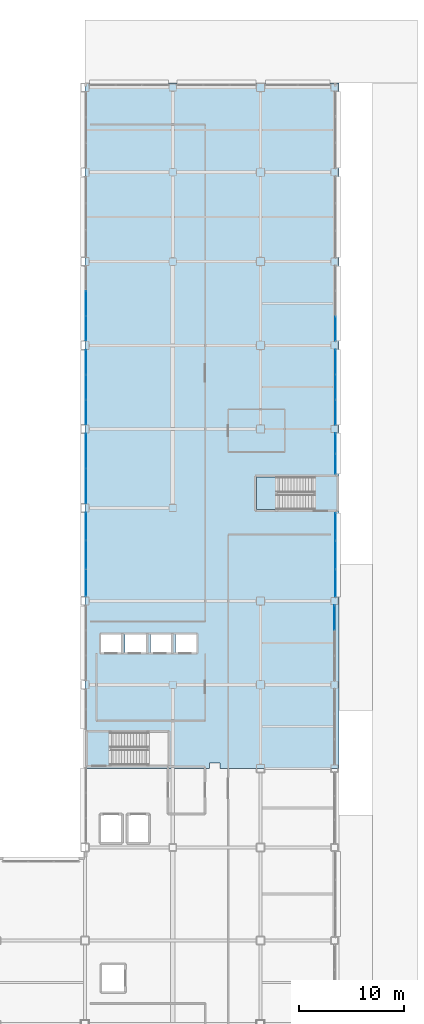
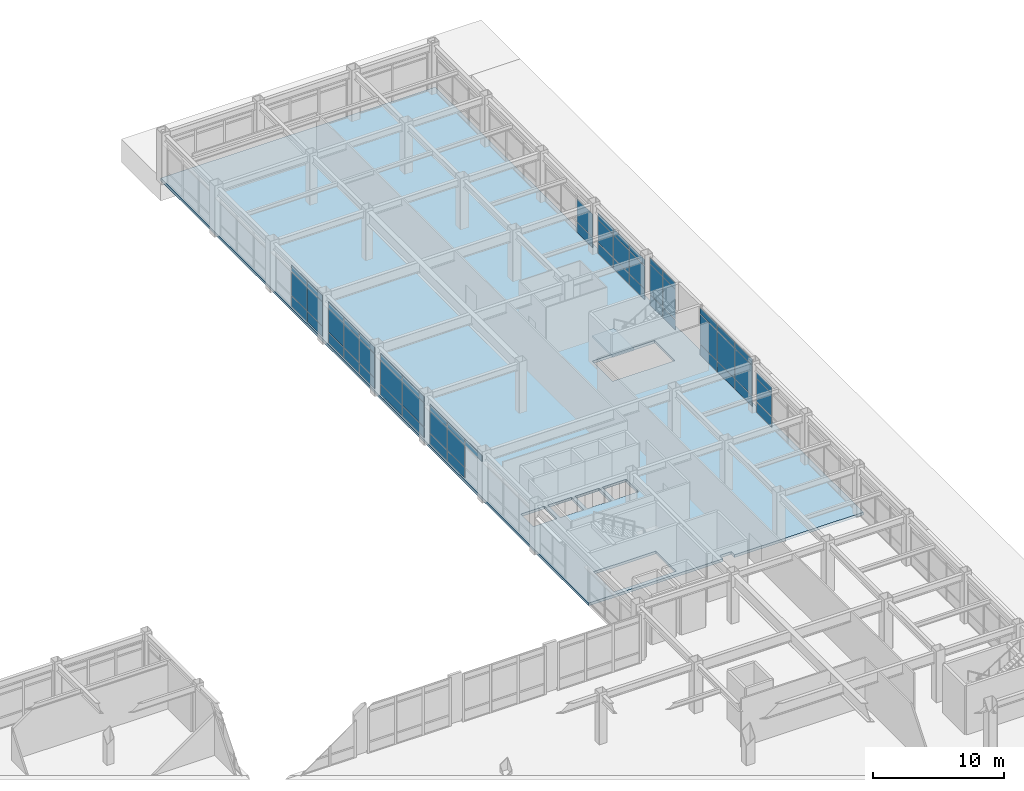
# One storey, part 137 of 172: 57 plates, 2 slabs, 10 elements without a shape of their own.
"""IFC4 building model written with IfcOpenShell, lengths in metres."""

from ifc_helpers import new_model, si_unit, direction, frame, origin, origin_2d, place, context, subcontext, project, spatial, polyline, rectangle, outline, extrude, material, layer, layer_set, type_object, element, aggregate, save


model = new_model("IFC4")

# Units and contexts
model_context = context("Model", 3, precision=1e-05, world=origin(), true_north=direction((0.0, 1.0)))
body_context = subcontext(model_context, "Body", "Model", "MODEL_VIEW")
ifc_project = project(units=[si_unit("LENGTHUNIT", "METRE"), si_unit("AREAUNIT", "SQUARE_METRE"), si_unit("VOLUMEUNIT", "CUBIC_METRE"), si_unit("PLANEANGLEUNIT", "RADIAN"), si_unit("MASSUNIT", "GRAM", prefix="KILO")], contexts=[model_context])

# Site, building, storey
site_placement = place(None, origin())
site = spatial("IfcSite", under=ifc_project, at=site_placement, CompositionType="ELEMENT")
building_placement = place(site_placement, origin())
building = spatial("IfcBuilding", under=site, at=building_placement, Name="Kazehara Bluff Congress Hotel", CompositionType="ELEMENT")
storey_placement = place(building_placement, frame((0.0, 0.0, 5.39990234375)))
storey = spatial("IfcBuildingStorey", under=building, at=storey_placement, Name="L01", CompositionType="ELEMENT", Elevation=5.39990234375)

# Curtain wall, plates
ifc_material_1 = material(Name="Anodised aluminium", Category="aluminium")
ifc_layer_1 = layer(ifc_material_1, 0.159912109375)
ifc_layer_set_1 = layer_set([ifc_layer_1], Name="Anodised aluminium")
curtain_wall_type_1 = type_object("IfcCurtainWallType", Name="TP-CW-80", PredefinedType="NOTDEFINED", material=ifc_layer_set_1)
curtain_wall_1_placement = place(storey_placement, origin())
curtain_wall_1 = element("IfcCurtainWall", 1, at=curtain_wall_1_placement, inside=storey, type_object=curtain_wall_type_1, Name="L01 curtain wall CW-80 CW-V5-L01-X16755-5680", PredefinedType="NOTDEFINED")
ifc_material_2 = material(Name="Insulated low-E double glazing", Category="glass")
ifc_layer_2 = layer(ifc_material_2, 0.028076171875)
ifc_layer_set_2 = layer_set([ifc_layer_2], Name="Insulated low-E double glazing")
plate_type_1 = type_object("IfcPlateType", Name="TP-CWP-01", PredefinedType="CURTAIN_PANEL", material=ifc_layer_set_2)
plate_1_placement = place(storey_placement, frame((167.550048828125, 62.8671875, 0.06494140625), z_axis=(0.0, 0.0, 1.0), x_axis=(0.0, 1.0, 0.0)))
plate_1 = element("IfcPlate", 2, at=plate_1_placement, type_object=plate_type_1, Name="CW-80 panel 3.1", PredefinedType="CURTAIN_PANEL", context=body_context, shape_type="SweptSolid", body=[
    extrude(rectangle(XDim=2.3359375, YDim=0.028076171875, at=origin_2d()), origin(), (0.0, 0.0, 1.0), 0.952392578125),
])
plate_2_placement = place(storey_placement, frame((167.550048828125, 62.8671875, 1.08251953125), z_axis=(0.0, 0.0, 1.0), x_axis=(0.0, 1.0, 0.0)))
plate_2 = element("IfcPlate", 3, at=plate_2_placement, type_object=plate_type_1, Name="CW-80 panel 3.2", PredefinedType="CURTAIN_PANEL", context=body_context, shape_type="SweptSolid", body=[
    extrude(rectangle(XDim=2.3359375, YDim=0.028076171875, at=origin_2d()), origin(), (0.0, 0.0, 1.0), 2.110107421875),
])
plate_3_placement = place(storey_placement, frame((167.550048828125, 62.8671875, 3.2578125), z_axis=(0.0, 0.0, 1.0), x_axis=(0.0, 1.0, 0.0)))
plate_3 = element("IfcPlate", 4, at=plate_3_placement, type_object=plate_type_1, Name="CW-80 panel 3.3", PredefinedType="CURTAIN_PANEL", context=body_context, shape_type="SweptSolid", body=[
    extrude(rectangle(XDim=2.3359375, YDim=0.028076171875, at=origin_2d()), origin(), (0.0, 0.0, 1.0), 0.552490234375),
])
aggregate(curtain_wall_1, [plate_1, plate_2, plate_3])

curtain_wall_2_placement = place(storey_placement, origin())
curtain_wall_2 = element("IfcCurtainWall", 5, at=curtain_wall_2_placement, inside=storey, type_object=curtain_wall_type_1, Name="L01 curtain wall CW-80 CW-ENC-V5-L01-16765-8490", PredefinedType="NOTDEFINED")
plate_4_placement = place(storey_placement, frame((167.64990234375, 87.317138671875, 0.06494140625), z_axis=(0.0, 0.0, 1.0), x_axis=(0.0, -1.0, 0.0)))
plate_4 = element("IfcPlate", 6, at=plate_4_placement, type_object=plate_type_1, Name="CW-80 panel 1.1", PredefinedType="CURTAIN_PANEL", context=body_context, shape_type="SweptSolid", body=[
    extrude(rectangle(XDim=2.3359375, YDim=0.028076171875, at=origin_2d()), origin(), (0.0, 0.0, 1.0), 0.952392578125),
])
plate_5_placement = place(storey_placement, frame((167.64990234375, 87.317138671875, 1.08251953125), z_axis=(0.0, 0.0, 1.0), x_axis=(0.0, -1.0, 0.0)))
plate_5 = element("IfcPlate", 7, at=plate_5_placement, type_object=plate_type_1, Name="CW-80 panel 1.2", PredefinedType="CURTAIN_PANEL", context=body_context, shape_type="SweptSolid", body=[
    extrude(rectangle(XDim=2.3359375, YDim=0.028076171875, at=origin_2d()), origin(), (0.0, 0.0, 1.0), 2.110107421875),
])
plate_6_placement = place(storey_placement, frame((167.64990234375, 87.317138671875, 3.2578125), z_axis=(0.0, 0.0, 1.0), x_axis=(0.0, -1.0, 0.0)))
plate_6 = element("IfcPlate", 8, at=plate_6_placement, type_object=plate_type_1, Name="CW-80 panel 1.3", PredefinedType="CURTAIN_PANEL", context=body_context, shape_type="SweptSolid", body=[
    extrude(rectangle(XDim=2.3359375, YDim=0.028076171875, at=origin_2d()), origin(), (0.0, 0.0, 1.0), 0.552490234375),
])
plate_7_placement = place(storey_placement, frame((167.64990234375, 84.89990234375, 0.06494140625), z_axis=(0.0, 0.0, 1.0), x_axis=(0.0, -1.0, 0.0)))
plate_7 = element("IfcPlate", 9, at=plate_7_placement, type_object=plate_type_1, Name="CW-80 panel 2.1", PredefinedType="CURTAIN_PANEL", context=body_context, shape_type="SweptSolid", body=[
    extrude(rectangle(XDim=2.368408203125, YDim=0.028076171875, at=origin_2d()), origin(), (0.0, 0.0, 1.0), 0.952392578125),
])
plate_8_placement = place(storey_placement, frame((167.64990234375, 84.89990234375, 1.08251953125), z_axis=(0.0, 0.0, 1.0), x_axis=(0.0, -1.0, 0.0)))
plate_8 = element("IfcPlate", 10, at=plate_8_placement, type_object=plate_type_1, Name="CW-80 panel 2.2", PredefinedType="CURTAIN_PANEL", context=body_context, shape_type="SweptSolid", body=[
    extrude(rectangle(XDim=2.368408203125, YDim=0.028076171875, at=origin_2d()), origin(), (0.0, 0.0, 1.0), 2.110107421875),
])
plate_9_placement = place(storey_placement, frame((167.64990234375, 84.89990234375, 3.2578125), z_axis=(0.0, 0.0, 1.0), x_axis=(0.0, -1.0, 0.0)))
plate_9 = element("IfcPlate", 11, at=plate_9_placement, type_object=plate_type_1, Name="CW-80 panel 2.3", PredefinedType="CURTAIN_PANEL", context=body_context, shape_type="SweptSolid", body=[
    extrude(rectangle(XDim=2.368408203125, YDim=0.028076171875, at=origin_2d()), origin(), (0.0, 0.0, 1.0), 0.552490234375),
])
plate_10_placement = place(storey_placement, frame((167.64990234375, 82.48291015625, 0.06494140625), z_axis=(0.0, 0.0, 1.0), x_axis=(0.0, -1.0, 0.0)))
plate_10 = element("IfcPlate", 12, at=plate_10_placement, type_object=plate_type_1, Name="CW-80 panel 3.1", PredefinedType="CURTAIN_PANEL", context=body_context, shape_type="SweptSolid", body=[
    extrude(rectangle(XDim=2.3359375, YDim=0.028076171875, at=origin_2d()), origin(), (0.0, 0.0, 1.0), 0.952392578125),
])
plate_11_placement = place(storey_placement, frame((167.64990234375, 82.48291015625, 1.08251953125), z_axis=(0.0, 0.0, 1.0), x_axis=(0.0, -1.0, 0.0)))
plate_11 = element("IfcPlate", 13, at=plate_11_placement, type_object=plate_type_1, Name="CW-80 panel 3.2", PredefinedType="CURTAIN_PANEL", context=body_context, shape_type="SweptSolid", body=[
    extrude(rectangle(XDim=2.3359375, YDim=0.028076171875, at=origin_2d()), origin(), (0.0, 0.0, 1.0), 2.110107421875),
])
plate_12_placement = place(storey_placement, frame((167.64990234375, 82.48291015625, 3.2578125), z_axis=(0.0, 0.0, 1.0), x_axis=(0.0, -1.0, 0.0)))
plate_12 = element("IfcPlate", 14, at=plate_12_placement, type_object=plate_type_1, Name="CW-80 panel 3.3", PredefinedType="CURTAIN_PANEL", context=body_context, shape_type="SweptSolid", body=[
    extrude(rectangle(XDim=2.3359375, YDim=0.028076171875, at=origin_2d()), origin(), (0.0, 0.0, 1.0), 0.552490234375),
])
aggregate(curtain_wall_2, [plate_4, plate_5, plate_6, plate_7, plate_8, plate_9, plate_10, plate_11, plate_12])

curtain_wall_3_placement = place(storey_placement, origin())
curtain_wall_3 = element("IfcCurtainWall", 15, at=curtain_wall_3_placement, inside=storey, type_object=curtain_wall_type_1, Name="L01 curtain wall CW-80 CW-ENC-V5-L01-16765-9290", PredefinedType="NOTDEFINED")
plate_13_placement = place(storey_placement, frame((167.64990234375, 90.48291015625, 0.06494140625), z_axis=(0.0, 0.0, 1.0), x_axis=(0.0, -1.0, 0.0)))
plate_13 = element("IfcPlate", 16, at=plate_13_placement, type_object=plate_type_1, Name="CW-80 panel 3.1", PredefinedType="CURTAIN_PANEL", context=body_context, shape_type="SweptSolid", body=[
    extrude(rectangle(XDim=2.3359375, YDim=0.028076171875, at=origin_2d()), origin(), (0.0, 0.0, 1.0), 0.952392578125),
])
plate_14_placement = place(storey_placement, frame((167.64990234375, 90.48291015625, 1.08251953125), z_axis=(0.0, 0.0, 1.0), x_axis=(0.0, -1.0, 0.0)))
plate_14 = element("IfcPlate", 17, at=plate_14_placement, type_object=plate_type_1, Name="CW-80 panel 3.2", PredefinedType="CURTAIN_PANEL", context=body_context, shape_type="SweptSolid", body=[
    extrude(rectangle(XDim=2.3359375, YDim=0.028076171875, at=origin_2d()), origin(), (0.0, 0.0, 1.0), 2.110107421875),
])
aggregate(curtain_wall_3, [plate_13, plate_14])

ifc_material_3 = material(Name="Anodised aluminium", Category="aluminium")
ifc_layer_3 = layer(ifc_material_3, 0.159912109375)
ifc_layer_set_3 = layer_set([ifc_layer_3], Name="Anodised aluminium")
curtain_wall_type_2 = type_object("IfcCurtainWallType", Name="TP-CW-121", PredefinedType="NOTDEFINED", material=ifc_layer_set_3)
curtain_wall_4_placement = place(storey_placement, origin())
curtain_wall_4 = element("IfcCurtainWall", 18, at=curtain_wall_4_placement, inside=storey, type_object=curtain_wall_type_2, Name="L01 curtain wall CW-121 CW-ENC-V5-L01-14380-6890", PredefinedType="NOTDEFINED")
plate_15_placement = place(storey_placement, frame((143.800048828125, 66.21630859375, 3.20751953125), z_axis=(0.0, 0.0, 1.0), x_axis=(0.0, 1.0, 0.0)))
plate_15 = element("IfcPlate", 19, at=plate_15_placement, type_object=plate_type_1, Name="CW-121 panel 1.3", PredefinedType="CURTAIN_PANEL", context=body_context, shape_type="SweptSolid", body=[
    extrude(rectangle(XDim=2.6025390625, YDim=0.028076171875, at=origin_2d()), origin(), (0.0, 0.0, 1.0), 0.552490234375),
])
plate_16_placement = place(storey_placement, frame((143.800048828125, 68.89990234375, 0.06494140625), z_axis=(0.0, 0.0, 1.0), x_axis=(0.0, 1.0, 0.0)))
plate_16 = element("IfcPlate", 20, at=plate_16_placement, type_object=plate_type_1, Name="CW-121 panel 2.1", PredefinedType="CURTAIN_PANEL", context=body_context, shape_type="SweptSolid", body=[
    extrude(rectangle(XDim=2.635009765625, YDim=0.028076171875, at=origin_2d()), origin(), (0.0, 0.0, 1.0), 0.952392578125),
])
plate_17_placement = place(storey_placement, frame((143.800048828125, 68.89990234375, 1.08251953125), z_axis=(0.0, 0.0, 1.0), x_axis=(0.0, 1.0, 0.0)))
plate_17 = element("IfcPlate", 21, at=plate_17_placement, type_object=plate_type_1, Name="CW-121 panel 2.2", PredefinedType="CURTAIN_PANEL", context=body_context, shape_type="SweptSolid", body=[
    extrude(rectangle(XDim=2.635009765625, YDim=0.028076171875, at=origin_2d()), origin(), (0.0, 0.0, 1.0), 2.06005859375),
])
plate_18_placement = place(storey_placement, frame((143.800048828125, 68.89990234375, 3.20751953125), z_axis=(0.0, 0.0, 1.0), x_axis=(0.0, 1.0, 0.0)))
plate_18 = element("IfcPlate", 22, at=plate_18_placement, type_object=plate_type_1, Name="CW-121 panel 2.3", PredefinedType="CURTAIN_PANEL", context=body_context, shape_type="SweptSolid", body=[
    extrude(rectangle(XDim=2.635009765625, YDim=0.028076171875, at=origin_2d()), origin(), (0.0, 0.0, 1.0), 0.552490234375),
])
plate_19_placement = place(storey_placement, frame((143.800048828125, 71.583740234375, 0.06494140625), z_axis=(0.0, 0.0, 1.0), x_axis=(0.0, 1.0, 0.0)))
plate_19 = element("IfcPlate", 23, at=plate_19_placement, type_object=plate_type_1, Name="CW-121 panel 3.1", PredefinedType="CURTAIN_PANEL", context=body_context, shape_type="SweptSolid", body=[
    extrude(rectangle(XDim=2.6025390625, YDim=0.028076171875, at=origin_2d()), origin(), (0.0, 0.0, 1.0), 0.952392578125),
])
plate_20_placement = place(storey_placement, frame((143.800048828125, 71.583740234375, 1.08251953125), z_axis=(0.0, 0.0, 1.0), x_axis=(0.0, 1.0, 0.0)))
plate_20 = element("IfcPlate", 24, at=plate_20_placement, type_object=plate_type_1, Name="CW-121 panel 3.2", PredefinedType="CURTAIN_PANEL", context=body_context, shape_type="SweptSolid", body=[
    extrude(rectangle(XDim=2.6025390625, YDim=0.028076171875, at=origin_2d()), origin(), (0.0, 0.0, 1.0), 2.06005859375),
])
plate_21_placement = place(storey_placement, frame((143.800048828125, 71.583740234375, 3.20751953125), z_axis=(0.0, 0.0, 1.0), x_axis=(0.0, 1.0, 0.0)))
plate_21 = element("IfcPlate", 25, at=plate_21_placement, type_object=plate_type_1, Name="CW-121 panel 3.3", PredefinedType="CURTAIN_PANEL", context=body_context, shape_type="SweptSolid", body=[
    extrude(rectangle(XDim=2.6025390625, YDim=0.028076171875, at=origin_2d()), origin(), (0.0, 0.0, 1.0), 0.552490234375),
])
aggregate(curtain_wall_4, [plate_15, plate_16, plate_17, plate_18, plate_19, plate_20, plate_21])

ifc_material_4 = material(Name="Anodised aluminium", Category="aluminium")
ifc_layer_4 = layer(ifc_material_4, 0.159912109375)
ifc_layer_set_4 = layer_set([ifc_layer_4], Name="Anodised aluminium")
curtain_wall_type_3 = type_object("IfcCurtainWallType", Name="TP-CW-122", PredefinedType="NOTDEFINED", material=ifc_layer_set_4)
curtain_wall_5_placement = place(storey_placement, origin())
curtain_wall_5 = element("IfcCurtainWall", 26, at=curtain_wall_5_placement, inside=storey, type_object=curtain_wall_type_3, Name="L01 curtain wall CW-122 CW-ENC-V5-L01-14380-7712", PredefinedType="NOTDEFINED")
plate_22_placement = place(storey_placement, frame((143.800048828125, 75.453857421875, 0.06494140625), z_axis=(0.0, 0.0, 1.0), x_axis=(0.0, 1.0, 0.0)))
plate_22 = element("IfcPlate", 27, at=plate_22_placement, type_object=plate_type_1, Name="CW-122 panel 1.1", PredefinedType="CURTAIN_PANEL", context=body_context, shape_type="SweptSolid", body=[
    extrude(rectangle(XDim=3.277587890625, YDim=0.028076171875, at=origin_2d()), origin(), (0.0, 0.0, 1.0), 0.952392578125),
])
plate_23_placement = place(storey_placement, frame((143.800048828125, 75.453857421875, 1.08251953125), z_axis=(0.0, 0.0, 1.0), x_axis=(0.0, 1.0, 0.0)))
plate_23 = element("IfcPlate", 28, at=plate_23_placement, type_object=plate_type_1, Name="CW-122 panel 1.2", PredefinedType="CURTAIN_PANEL", context=body_context, shape_type="SweptSolid", body=[
    extrude(rectangle(XDim=3.277587890625, YDim=0.028076171875, at=origin_2d()), origin(), (0.0, 0.0, 1.0), 2.2099609375),
])
plate_24_placement = place(storey_placement, frame((143.800048828125, 75.453857421875, 3.357421875), z_axis=(0.0, 0.0, 1.0), x_axis=(0.0, 1.0, 0.0)))
plate_24 = element("IfcPlate", 29, at=plate_24_placement, type_object=plate_type_1, Name="CW-122 panel 1.3", PredefinedType="CURTAIN_PANEL", context=body_context, shape_type="SweptSolid", body=[
    extrude(rectangle(XDim=3.277587890625, YDim=0.028076171875, at=origin_2d()), origin(), (0.0, 0.0, 1.0), 0.552490234375),
])
plate_25_placement = place(storey_placement, frame((143.800048828125, 78.796142578125, 0.06494140625), z_axis=(0.0, 0.0, 1.0), x_axis=(0.0, 1.0, 0.0)))
plate_25 = element("IfcPlate", 30, at=plate_25_placement, type_object=plate_type_1, Name="CW-122 panel 2.1", PredefinedType="CURTAIN_PANEL", context=body_context, shape_type="SweptSolid", body=[
    extrude(rectangle(XDim=3.277587890625, YDim=0.028076171875, at=origin_2d()), origin(), (0.0, 0.0, 1.0), 0.952392578125),
])
plate_26_placement = place(storey_placement, frame((143.800048828125, 78.796142578125, 1.08251953125), z_axis=(0.0, 0.0, 1.0), x_axis=(0.0, 1.0, 0.0)))
plate_26 = element("IfcPlate", 31, at=plate_26_placement, type_object=plate_type_1, Name="CW-122 panel 2.2", PredefinedType="CURTAIN_PANEL", context=body_context, shape_type="SweptSolid", body=[
    extrude(rectangle(XDim=3.277587890625, YDim=0.028076171875, at=origin_2d()), origin(), (0.0, 0.0, 1.0), 2.2099609375),
])
plate_27_placement = place(storey_placement, frame((143.800048828125, 78.796142578125, 3.357421875), z_axis=(0.0, 0.0, 1.0), x_axis=(0.0, 1.0, 0.0)))
plate_27 = element("IfcPlate", 32, at=plate_27_placement, type_object=plate_type_1, Name="CW-122 panel 2.3", PredefinedType="CURTAIN_PANEL", context=body_context, shape_type="SweptSolid", body=[
    extrude(rectangle(XDim=3.277587890625, YDim=0.028076171875, at=origin_2d()), origin(), (0.0, 0.0, 1.0), 0.552490234375),
])
aggregate(curtain_wall_5, [plate_22, plate_23, plate_24, plate_25, plate_26, plate_27])

ifc_material_5 = material(Name="Anodised aluminium", Category="aluminium")
ifc_layer_5 = layer(ifc_material_5, 0.159912109375)
ifc_layer_set_5 = layer_set([ifc_layer_5], Name="Anodised aluminium")
curtain_wall_type_4 = type_object("IfcCurtainWallType", Name="TP-CW-120", PredefinedType="NOTDEFINED", material=ifc_layer_set_5)
curtain_wall_6_placement = place(storey_placement, origin())
curtain_wall_6 = element("IfcCurtainWall", 33, at=curtain_wall_6_placement, inside=storey, type_object=curtain_wall_type_4, Name="L01 curtain wall CW-120 CW-ENC-V5-L01-14380-8490", PredefinedType="NOTDEFINED")
plate_28_placement = place(storey_placement, frame((143.800048828125, 82.516357421875, 0.06494140625), z_axis=(0.0, 0.0, 1.0), x_axis=(0.0, 1.0, 0.0)))
plate_28 = element("IfcPlate", 34, at=plate_28_placement, type_object=plate_type_1, Name="CW-120 panel 1.1", PredefinedType="CURTAIN_PANEL", context=body_context, shape_type="SweptSolid", body=[
    extrude(rectangle(XDim=2.302490234375, YDim=0.028076171875, at=origin_2d()), origin(), (0.0, 0.0, 1.0), 0.952392578125),
])
plate_29_placement = place(storey_placement, frame((143.800048828125, 82.516357421875, 1.08251953125), z_axis=(0.0, 0.0, 1.0), x_axis=(0.0, 1.0, 0.0)))
plate_29 = element("IfcPlate", 35, at=plate_29_placement, type_object=plate_type_1, Name="CW-120 panel 1.2", PredefinedType="CURTAIN_PANEL", context=body_context, shape_type="SweptSolid", body=[
    extrude(rectangle(XDim=2.302490234375, YDim=0.028076171875, at=origin_2d()), origin(), (0.0, 0.0, 1.0), 2.2099609375),
])
plate_30_placement = place(storey_placement, frame((143.800048828125, 82.516357421875, 3.357421875), z_axis=(0.0, 0.0, 1.0), x_axis=(0.0, 1.0, 0.0)))
plate_30 = element("IfcPlate", 36, at=plate_30_placement, type_object=plate_type_1, Name="CW-120 panel 1.3", PredefinedType="CURTAIN_PANEL", context=body_context, shape_type="SweptSolid", body=[
    extrude(rectangle(XDim=2.302490234375, YDim=0.028076171875, at=origin_2d()), origin(), (0.0, 0.0, 1.0), 0.552490234375),
])
plate_31_placement = place(storey_placement, frame((143.800048828125, 84.89990234375, 0.06494140625), z_axis=(0.0, 0.0, 1.0), x_axis=(0.0, 1.0, 0.0)))
plate_31 = element("IfcPlate", 37, at=plate_31_placement, type_object=plate_type_1, Name="CW-120 panel 2.1", PredefinedType="CURTAIN_PANEL", context=body_context, shape_type="SweptSolid", body=[
    extrude(rectangle(XDim=2.3349609375, YDim=0.028076171875, at=origin_2d()), origin(), (0.0, 0.0, 1.0), 0.952392578125),
])
plate_32_placement = place(storey_placement, frame((143.800048828125, 84.89990234375, 1.08251953125), z_axis=(0.0, 0.0, 1.0), x_axis=(0.0, 1.0, 0.0)))
plate_32 = element("IfcPlate", 38, at=plate_32_placement, type_object=plate_type_1, Name="CW-120 panel 2.2", PredefinedType="CURTAIN_PANEL", context=body_context, shape_type="SweptSolid", body=[
    extrude(rectangle(XDim=2.3349609375, YDim=0.028076171875, at=origin_2d()), origin(), (0.0, 0.0, 1.0), 2.2099609375),
])
plate_33_placement = place(storey_placement, frame((143.800048828125, 84.89990234375, 3.357421875), z_axis=(0.0, 0.0, 1.0), x_axis=(0.0, 1.0, 0.0)))
plate_33 = element("IfcPlate", 39, at=plate_33_placement, type_object=plate_type_1, Name="CW-120 panel 2.3", PredefinedType="CURTAIN_PANEL", context=body_context, shape_type="SweptSolid", body=[
    extrude(rectangle(XDim=2.3349609375, YDim=0.028076171875, at=origin_2d()), origin(), (0.0, 0.0, 1.0), 0.552490234375),
])
plate_34_placement = place(storey_placement, frame((143.800048828125, 87.28369140625, 0.06494140625), z_axis=(0.0, 0.0, 1.0), x_axis=(0.0, 1.0, 0.0)))
plate_34 = element("IfcPlate", 40, at=plate_34_placement, type_object=plate_type_1, Name="CW-120 panel 3.1", PredefinedType="CURTAIN_PANEL", context=body_context, shape_type="SweptSolid", body=[
    extrude(rectangle(XDim=2.302490234375, YDim=0.028076171875, at=origin_2d()), origin(), (0.0, 0.0, 1.0), 0.952392578125),
])
plate_35_placement = place(storey_placement, frame((143.800048828125, 87.28369140625, 1.08251953125), z_axis=(0.0, 0.0, 1.0), x_axis=(0.0, 1.0, 0.0)))
plate_35 = element("IfcPlate", 41, at=plate_35_placement, type_object=plate_type_1, Name="CW-120 panel 3.2", PredefinedType="CURTAIN_PANEL", context=body_context, shape_type="SweptSolid", body=[
    extrude(rectangle(XDim=2.302490234375, YDim=0.028076171875, at=origin_2d()), origin(), (0.0, 0.0, 1.0), 2.2099609375),
])
plate_36_placement = place(storey_placement, frame((143.800048828125, 87.28369140625, 3.357421875), z_axis=(0.0, 0.0, 1.0), x_axis=(0.0, 1.0, 0.0)))
plate_36 = element("IfcPlate", 42, at=plate_36_placement, type_object=plate_type_1, Name="CW-120 panel 3.3", PredefinedType="CURTAIN_PANEL", context=body_context, shape_type="SweptSolid", body=[
    extrude(rectangle(XDim=2.302490234375, YDim=0.028076171875, at=origin_2d()), origin(), (0.0, 0.0, 1.0), 0.552490234375),
])
aggregate(curtain_wall_6, [plate_28, plate_29, plate_30, plate_31, plate_32, plate_33, plate_34, plate_35, plate_36])

curtain_wall_7_placement = place(storey_placement, origin())
curtain_wall_7 = element("IfcCurtainWall", 43, at=curtain_wall_7_placement, inside=storey, type_object=curtain_wall_type_4, Name="L01 curtain wall CW-120 CW-ENC-V5-L01-14380-9290", PredefinedType="NOTDEFINED")
plate_37_placement = place(storey_placement, frame((143.800048828125, 90.516357421875, 0.06494140625), z_axis=(0.0, 0.0, 1.0), x_axis=(0.0, 1.0, 0.0)))
plate_37 = element("IfcPlate", 44, at=plate_37_placement, type_object=plate_type_1, Name="CW-120 panel 1.1", PredefinedType="CURTAIN_PANEL", context=body_context, shape_type="SweptSolid", body=[
    extrude(rectangle(XDim=2.302490234375, YDim=0.028076171875, at=origin_2d()), origin(), (0.0, 0.0, 1.0), 0.952392578125),
])
plate_38_placement = place(storey_placement, frame((143.800048828125, 90.516357421875, 1.08251953125), z_axis=(0.0, 0.0, 1.0), x_axis=(0.0, 1.0, 0.0)))
plate_38 = element("IfcPlate", 45, at=plate_38_placement, type_object=plate_type_1, Name="CW-120 panel 1.2", PredefinedType="CURTAIN_PANEL", context=body_context, shape_type="SweptSolid", body=[
    extrude(rectangle(XDim=2.302490234375, YDim=0.028076171875, at=origin_2d()), origin(), (0.0, 0.0, 1.0), 2.2099609375),
])
plate_39_placement = place(storey_placement, frame((143.800048828125, 90.516357421875, 3.357421875), z_axis=(0.0, 0.0, 1.0), x_axis=(0.0, 1.0, 0.0)))
plate_39 = element("IfcPlate", 46, at=plate_39_placement, type_object=plate_type_1, Name="CW-120 panel 1.3", PredefinedType="CURTAIN_PANEL", context=body_context, shape_type="SweptSolid", body=[
    extrude(rectangle(XDim=2.302490234375, YDim=0.028076171875, at=origin_2d()), origin(), (0.0, 0.0, 1.0), 0.552490234375),
])
plate_40_placement = place(storey_placement, frame((143.800048828125, 92.89990234375, 0.06494140625), z_axis=(0.0, 0.0, 1.0), x_axis=(0.0, 1.0, 0.0)))
plate_40 = element("IfcPlate", 47, at=plate_40_placement, type_object=plate_type_1, Name="CW-120 panel 2.1", PredefinedType="CURTAIN_PANEL", context=body_context, shape_type="SweptSolid", body=[
    extrude(rectangle(XDim=2.3349609375, YDim=0.028076171875, at=origin_2d()), origin(), (0.0, 0.0, 1.0), 0.952392578125),
])
plate_41_placement = place(storey_placement, frame((143.800048828125, 92.89990234375, 1.08251953125), z_axis=(0.0, 0.0, 1.0), x_axis=(0.0, 1.0, 0.0)))
plate_41 = element("IfcPlate", 48, at=plate_41_placement, type_object=plate_type_1, Name="CW-120 panel 2.2", PredefinedType="CURTAIN_PANEL", context=body_context, shape_type="SweptSolid", body=[
    extrude(rectangle(XDim=2.3349609375, YDim=0.028076171875, at=origin_2d()), origin(), (0.0, 0.0, 1.0), 2.2099609375),
])
plate_42_placement = place(storey_placement, frame((143.800048828125, 92.89990234375, 3.357421875), z_axis=(0.0, 0.0, 1.0), x_axis=(0.0, 1.0, 0.0)))
plate_42 = element("IfcPlate", 49, at=plate_42_placement, type_object=plate_type_1, Name="CW-120 panel 2.3", PredefinedType="CURTAIN_PANEL", context=body_context, shape_type="SweptSolid", body=[
    extrude(rectangle(XDim=2.3349609375, YDim=0.028076171875, at=origin_2d()), origin(), (0.0, 0.0, 1.0), 0.552490234375),
])
aggregate(curtain_wall_7, [plate_37, plate_38, plate_39, plate_40, plate_41, plate_42])

ifc_material_6 = material(Name="Anodised aluminium", Category="aluminium")
ifc_layer_6 = layer(ifc_material_6, 0.159912109375)
ifc_layer_set_6 = layer_set([ifc_layer_6], Name="Anodised aluminium")
curtain_wall_type_5 = type_object("IfcCurtainWallType", Name="TP-CW-115", PredefinedType="NOTDEFINED", material=ifc_layer_set_6)
curtain_wall_8_placement = place(storey_placement, origin())
curtain_wall_8 = element("IfcCurtainWall", 50, at=curtain_wall_8_placement, inside=storey, type_object=curtain_wall_type_5, Name="L01 curtain wall CW-115 CW-ENC-V5-L01-16765-6887", PredefinedType="NOTDEFINED")
ifc_material_7 = material(Name="Insulated low-E double glazing", Category="glass")
ifc_layer_7 = layer(ifc_material_7, 0.031982421875)
ifc_layer_set_7 = layer_set([ifc_layer_7], Name="Insulated low-E double glazing")
plate_type_2 = type_object("IfcPlateType", Name="TP-CWP-02", PredefinedType="CURTAIN_PANEL", material=ifc_layer_set_7)
plate_43_placement = place(storey_placement, frame((167.64990234375, 71.56591796875, 0.06494140625), z_axis=(0.0, 0.0, 1.0), x_axis=(0.0, -1.0, 0.0)))
plate_43 = element("IfcPlate", 51, at=plate_43_placement, type_object=plate_type_2, Name="CW-115 panel 1.1", PredefinedType="CURTAIN_PANEL", context=body_context, shape_type="SweptSolid", body=[
    extrude(rectangle(XDim=2.6083984375, YDim=0.031982421875, at=origin_2d()), origin(), (0.0, 0.0, 1.0), 0.952392578125),
])
plate_44_placement = place(storey_placement, frame((167.64990234375, 71.56591796875, 1.08251953125), z_axis=(0.0, 0.0, 1.0), x_axis=(0.0, -1.0, 0.0)))
plate_44 = element("IfcPlate", 52, at=plate_44_placement, type_object=plate_type_2, Name="CW-115 panel 1.2", PredefinedType="CURTAIN_PANEL", context=body_context, shape_type="SweptSolid", body=[
    extrude(rectangle(XDim=2.6083984375, YDim=0.031982421875, at=origin_2d()), origin(), (0.0, 0.0, 1.0), 2.77001953125),
])
plate_45_placement = place(storey_placement, frame((167.64990234375, 71.56591796875, 3.91748046875), z_axis=(0.0, 0.0, 1.0), x_axis=(0.0, -1.0, 0.0)))
plate_45 = element("IfcPlate", 53, at=plate_45_placement, type_object=plate_type_2, Name="CW-115 panel 1.3", PredefinedType="CURTAIN_PANEL", context=body_context, shape_type="SweptSolid", body=[
    extrude(rectangle(XDim=2.6083984375, YDim=0.031982421875, at=origin_2d()), origin(), (0.0, 0.0, 1.0), 0.552490234375),
])
plate_46_placement = place(storey_placement, frame((167.64990234375, 68.8701171875, 0.06494140625), z_axis=(0.0, 0.0, 1.0), x_axis=(0.0, -1.0, 0.0)))
plate_46 = element("IfcPlate", 54, at=plate_46_placement, type_object=plate_type_2, Name="CW-115 panel 2.1", PredefinedType="CURTAIN_PANEL", context=body_context, shape_type="SweptSolid", body=[
    extrude(rectangle(XDim=2.643310546875, YDim=0.031982421875, at=origin_2d()), origin(), (0.0, 0.0, 1.0), 0.952392578125),
])
plate_47_placement = place(storey_placement, frame((167.64990234375, 68.8701171875, 1.08251953125), z_axis=(0.0, 0.0, 1.0), x_axis=(0.0, -1.0, 0.0)))
plate_47 = element("IfcPlate", 55, at=plate_47_placement, type_object=plate_type_2, Name="CW-115 panel 2.2", PredefinedType="CURTAIN_PANEL", context=body_context, shape_type="SweptSolid", body=[
    extrude(rectangle(XDim=2.643310546875, YDim=0.031982421875, at=origin_2d()), origin(), (0.0, 0.0, 1.0), 2.77001953125),
])
plate_48_placement = place(storey_placement, frame((167.64990234375, 68.8701171875, 3.91748046875), z_axis=(0.0, 0.0, 1.0), x_axis=(0.0, -1.0, 0.0)))
plate_48 = element("IfcPlate", 56, at=plate_48_placement, type_object=plate_type_2, Name="CW-115 panel 2.3", PredefinedType="CURTAIN_PANEL", context=body_context, shape_type="SweptSolid", body=[
    extrude(rectangle(XDim=2.643310546875, YDim=0.031982421875, at=origin_2d()), origin(), (0.0, 0.0, 1.0), 0.552490234375),
])
plate_49_placement = place(storey_placement, frame((167.64990234375, 66.174072265625, 0.06494140625), z_axis=(0.0, 0.0, 1.0), x_axis=(0.0, -1.0, 0.0)))
plate_49 = element("IfcPlate", 57, at=plate_49_placement, type_object=plate_type_2, Name="CW-115 panel 3.1", PredefinedType="CURTAIN_PANEL", context=body_context, shape_type="SweptSolid", body=[
    extrude(rectangle(XDim=2.6083984375, YDim=0.031982421875, at=origin_2d()), origin(), (0.0, 0.0, 1.0), 0.952392578125),
])
plate_50_placement = place(storey_placement, frame((167.64990234375, 66.174072265625, 1.08251953125), z_axis=(0.0, 0.0, 1.0), x_axis=(0.0, -1.0, 0.0)))
plate_50 = element("IfcPlate", 58, at=plate_50_placement, type_object=plate_type_2, Name="CW-115 panel 3.2", PredefinedType="CURTAIN_PANEL", context=body_context, shape_type="SweptSolid", body=[
    extrude(rectangle(XDim=2.6083984375, YDim=0.031982421875, at=origin_2d()), origin(), (0.0, 0.0, 1.0), 2.77001953125),
])
plate_51_placement = place(storey_placement, frame((167.64990234375, 66.174072265625, 3.91748046875), z_axis=(0.0, 0.0, 1.0), x_axis=(0.0, -1.0, 0.0)))
plate_51 = element("IfcPlate", 59, at=plate_51_placement, type_object=plate_type_2, Name="CW-115 panel 3.3", PredefinedType="CURTAIN_PANEL", context=body_context, shape_type="SweptSolid", body=[
    extrude(rectangle(XDim=2.6083984375, YDim=0.031982421875, at=origin_2d()), origin(), (0.0, 0.0, 1.0), 0.552490234375),
])
aggregate(curtain_wall_8, [plate_43, plate_44, plate_45, plate_46, plate_47, plate_48, plate_49, plate_50, plate_51])

ifc_material_8 = material(Name="Anodised aluminium", Category="aluminium")
ifc_layer_8 = layer(ifc_material_8, 0.159912109375)
ifc_layer_set_8 = layer_set([ifc_layer_8], Name="Anodised aluminium")
curtain_wall_type_6 = type_object("IfcCurtainWallType", Name="TP-CW-116", PredefinedType="NOTDEFINED", material=ifc_layer_set_8)
curtain_wall_9_placement = place(storey_placement, origin())
curtain_wall_9 = element("IfcCurtainWall", 60, at=curtain_wall_9_placement, inside=storey, type_object=curtain_wall_type_6, Name="L01 curtain wall CW-116 CW-ENC-V5-L01-16765-7856", PredefinedType="NOTDEFINED")
plate_52_placement = place(storey_placement, frame((167.64990234375, 79.534912109375, 0.06005859375), z_axis=(0.0, 0.0, 1.0), x_axis=(0.0, -1.0, 0.0)))
plate_52 = element("IfcPlate", 61, at=plate_52_placement, type_object=plate_type_2, Name="CW-116 panel 1.1", PredefinedType="CURTAIN_PANEL", context=body_context, shape_type="SweptSolid", body=[
    extrude(rectangle(XDim=1.889892578125, YDim=0.031982421875, at=origin_2d()), origin(), (0.0, 0.0, 1.0), 0.9599609375),
])
plate_53_placement = place(storey_placement, frame((167.64990234375, 79.534912109375, 1.080078125), z_axis=(0.0, 0.0, 1.0), x_axis=(0.0, -1.0, 0.0)))
plate_53 = element("IfcPlate", 62, at=plate_53_placement, type_object=plate_type_2, Name="CW-116 panel 1.2", PredefinedType="CURTAIN_PANEL", context=body_context, shape_type="SweptSolid", body=[
    extrude(rectangle(XDim=1.889892578125, YDim=0.031982421875, at=origin_2d()), origin(), (0.0, 0.0, 1.0), 2.77490234375),
])
plate_54_placement = place(storey_placement, frame((167.64990234375, 79.534912109375, 3.9150390625), z_axis=(0.0, 0.0, 1.0), x_axis=(0.0, -1.0, 0.0)))
plate_54 = element("IfcPlate", 63, at=plate_54_placement, type_object=plate_type_2, Name="CW-116 panel 1.3", PredefinedType="CURTAIN_PANEL", context=body_context, shape_type="SweptSolid", body=[
    extrude(rectangle(XDim=1.889892578125, YDim=0.031982421875, at=origin_2d()), origin(), (0.0, 0.0, 1.0), 0.56005859375),
])
plate_55_placement = place(storey_placement, frame((167.64990234375, 77.574951171875, 0.06005859375), z_axis=(0.0, 0.0, 1.0), x_axis=(0.0, -1.0, 0.0)))
plate_55 = element("IfcPlate", 64, at=plate_55_placement, type_object=plate_type_2, Name="CW-116 panel 2.1", PredefinedType="CURTAIN_PANEL", context=body_context, shape_type="SweptSolid", body=[
    extrude(rectangle(XDim=1.889892578125, YDim=0.031982421875, at=origin_2d()), origin(), (0.0, 0.0, 1.0), 0.9599609375),
])
plate_56_placement = place(storey_placement, frame((167.64990234375, 77.574951171875, 1.080078125), z_axis=(0.0, 0.0, 1.0), x_axis=(0.0, -1.0, 0.0)))
plate_56 = element("IfcPlate", 65, at=plate_56_placement, type_object=plate_type_2, Name="CW-116 panel 2.2", PredefinedType="CURTAIN_PANEL", context=body_context, shape_type="SweptSolid", body=[
    extrude(rectangle(XDim=1.889892578125, YDim=0.031982421875, at=origin_2d()), origin(), (0.0, 0.0, 1.0), 2.77490234375),
])
plate_57_placement = place(storey_placement, frame((167.64990234375, 77.574951171875, 3.9150390625), z_axis=(0.0, 0.0, 1.0), x_axis=(0.0, -1.0, 0.0)))
plate_57 = element("IfcPlate", 66, at=plate_57_placement, type_object=plate_type_2, Name="CW-116 panel 2.3", PredefinedType="CURTAIN_PANEL", context=body_context, shape_type="SweptSolid", body=[
    extrude(rectangle(XDim=1.889892578125, YDim=0.031982421875, at=origin_2d()), origin(), (0.0, 0.0, 1.0), 0.56005859375),
])
aggregate(curtain_wall_9, [plate_52, plate_53, plate_54, plate_55, plate_56, plate_57])

# Slab
ifc_material_9 = material(Name="Concrete C36/45", Category="concrete")
ifc_layer_9 = layer(ifc_material_9, 0.25)
ifc_layer_set_9 = layer_set([ifc_layer_9], Name="Concrete C36/45")
slab_type_1 = type_object("IfcSlabType", Name="TP-SL-250", PredefinedType="FLOOR", material=ifc_layer_set_9)
slab_1_placement = place(storey_placement, frame((0.0, 0.0, -0.25)))
element("IfcSlab", 67, at=slab_1_placement, inside=storey, type_object=slab_type_1, Name="L01 V5 composite floor slab N", PredefinedType="FLOOR", context=body_context, shape_type="SweptSolid", body=[
    extrude(outline(polyline([(168.0, 114.0), (168.0, 48.449951171875), (156.60009765625, 48.449951171875), (156.60009765625, 48.949951171875), (155.60009765625, 48.949951171875), (155.60009765625, 48.449951171875), (143.699951171875, 48.449951171875), (143.699951171875, 114.0), (168.0, 114.0)]), holes=[polyline([(146.125, 48.800048828125), (151.64990234375, 48.800048828125), (151.64990234375, 51.89990234375), (146.125, 51.89990234375), (146.125, 48.800048828125)]), polyline([(165.625, 76.300048828125), (160.10009765625, 76.300048828125), (160.10009765625, 73.199951171875), (165.625, 73.199951171875), (165.625, 76.300048828125)]), polyline([(145.14990234375, 59.449951171875), (147.25, 59.449951171875), (147.25, 61.35009765625), (145.14990234375, 61.35009765625), (145.14990234375, 59.449951171875)]), polyline([(147.550048828125, 59.449951171875), (149.64990234375, 59.449951171875), (149.64990234375, 61.35009765625), (147.550048828125, 61.35009765625), (147.550048828125, 59.449951171875)]), polyline([(149.949951171875, 59.449951171875), (152.050048828125, 59.449951171875), (152.050048828125, 61.35009765625), (149.949951171875, 61.35009765625), (149.949951171875, 59.449951171875)]), polyline([(152.35009765625, 59.449951171875), (154.449951171875, 59.449951171875), (154.449951171875, 61.35009765625), (152.35009765625, 61.35009765625), (152.35009765625, 59.449951171875)])]), origin(), (0.0, 0.0, 1.0), 0.25),
])

# Stair, slab
ifc_material_10 = material(Name="Concrete C36/45", Category="concrete")
stair_type = type_object("IfcStairType", Name="TP-ST-T04", PredefinedType="HALF_TURN_STAIR", material=ifc_material_10)
stair_placement = place(storey_placement, origin())
stair = element("IfcStair", 68, at=stair_placement, inside=storey, type_object=stair_type, Name="L01 Escape stair ST-12", PredefinedType="HALF_TURN_STAIR")
ifc_material_11 = material(Name="Concrete C36/45", Category="concrete")
ifc_layer_10 = layer(ifc_material_11, 0.199951171875)
ifc_layer_set_10 = layer_set([ifc_layer_10], Name="Concrete C36/45")
slab_type_2 = type_object("IfcSlabType", Name="TP-SLD-200", PredefinedType="LANDING", material=ifc_layer_set_10)
slab_2_placement = place(storey_placement, frame((0.0, 0.0, 2.2001953125)))
slab_2 = element("IfcSlab", 69, at=slab_2_placement, type_object=slab_type_2, Name="ST-12 landing 1", PredefinedType="LANDING", context=body_context, shape_type="SweptSolid", body=[
    extrude(outline(polyline([(162.010009765625, 76.300048828125), (160.10009765625, 76.300048828125), (160.10009765625, 73.199951171875), (162.010009765625, 73.199951171875), (162.010009765625, 76.300048828125)])), origin(), (0.0, 0.0, 1.0), 0.199951171875),
])
aggregate(stair, [slab_2])

save(model, "model.ifc")
